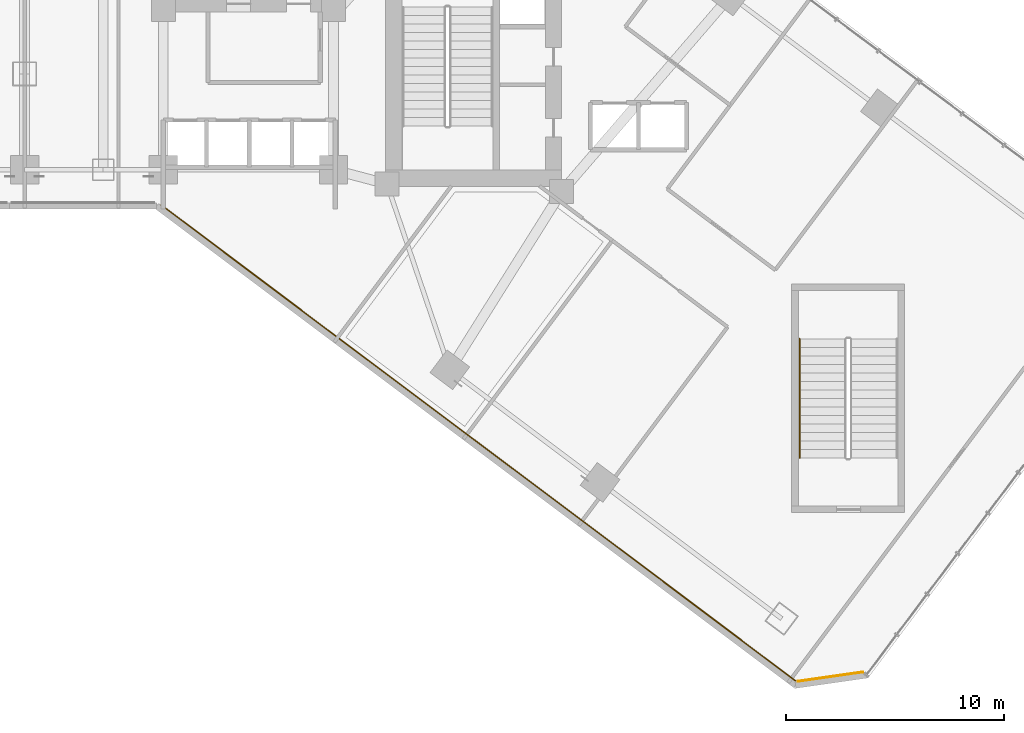
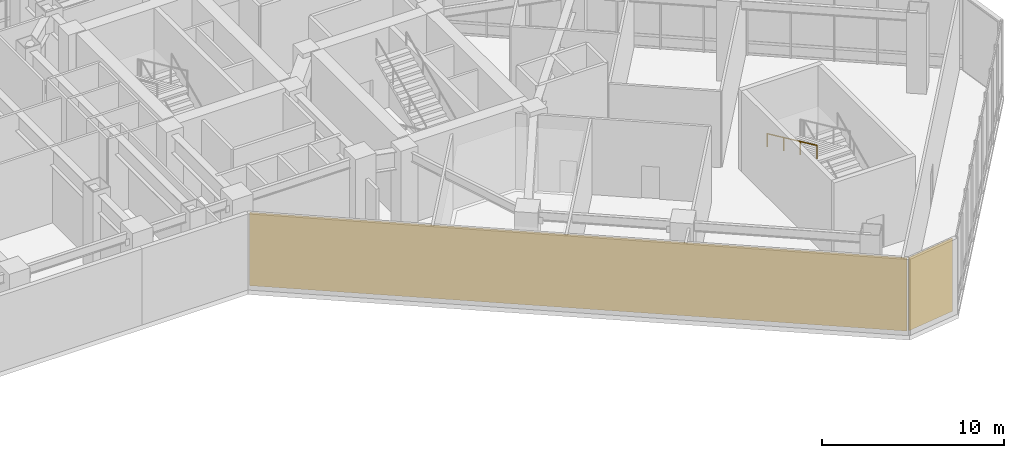
# One storey, part 32 of 35: 2 coverings, 1 railing.
"""IFC4 building model written with IfcOpenShell, lengths in metres."""

from ifc_helpers import new_model, si_unit, direction, frame, origin, origin_2d, place, context, subcontext, project, spatial, rectangle, circle, extrude, material, layer, layer_set, type_object, element, save


model = new_model("IFC4")

# Units and contexts
model_context = context("Model", 3, precision=1e-05, world=origin(), true_north=direction((0.0, 1.0)))
body_context = subcontext(model_context, "Body", "Model", "MODEL_VIEW")
ifc_project = project(units=[si_unit("LENGTHUNIT", "METRE"), si_unit("AREAUNIT", "SQUARE_METRE"), si_unit("VOLUMEUNIT", "CUBIC_METRE"), si_unit("PLANEANGLEUNIT", "RADIAN"), si_unit("MASSUNIT", "GRAM", prefix="KILO")], contexts=[model_context])

# Site, building, storey
site_placement = place(None, origin())
site = spatial("IfcSite", under=ifc_project, at=site_placement, CompositionType="ELEMENT")
building_placement = place(site_placement, origin())
building = spatial("IfcBuilding", under=site, at=building_placement, Name="Hatsunagi Terrace Concourse", CompositionType="ELEMENT")
storey_placement = place(building_placement, frame((0.0, 0.0, 16.199951171875)))
storey = spatial("IfcBuildingStorey", under=building, at=storey_placement, Name="L04", CompositionType="ELEMENT", Elevation=16.199951171875)

# Railing
ifc_material_1 = material(Name="Stainless steel", Category="steel")
ifc_layer_1 = layer(ifc_material_1, 0.050048828125)
ifc_layer_set_1 = layer_set([ifc_layer_1], Name="StairPitchHandrail_Podium2200")
railing_type = type_object("IfcRailingType", Name="StairPitchHandrail_Podium2200", PredefinedType="HANDRAIL", material=ifc_layer_set_1)
railing_placement = place(storey_placement, frame((54.699951171875, 17.4599609375, 2.880126953125)))
element("IfcRailing", 1, at=railing_placement, inside=storey, type_object=railing_type, Name="L04 ST-P2 stair handrail 2", PredefinedType="HANDRAIL", context=body_context, shape_type="SweptSolid", body=[
    extrude(circle(Radius=0.02392578125, at=origin_2d()), frame((0.0, 0.0, 0.8759765625), z_axis=(0.0, -0.907957007956, 0.419063326602), x_axis=(1.0, 0.0, 0.0)), (0.0, 0.0, 1.0), 6.013427734375),
    extrude(circle(Radius=0.02099609375, at=origin_2d()), origin(), (0.0, 0.0, 1.0), 0.851806640625),
    extrude(circle(Radius=0.02099609375, at=origin_2d()), frame((0.0, -1.820068359375, 0.840087890625)), (0.0, 0.0, 1.0), 0.851806640625),
    extrude(circle(Radius=0.02099609375, at=origin_2d()), frame((0.0, -3.639892578125, 1.679931640625)), (0.0, 0.0, 1.0), 0.851806640625),
    extrude(circle(Radius=0.02099609375, at=origin_2d()), frame((0.0, -5.4599609375, 2.52001953125)), (0.0, 0.0, 1.0), 0.851806640625),
])

# Coverings
ifc_material_2 = material(Name="Unglazed Warm Terracotta Rainscreen Tile", Category="masonry")
ifc_layer_2 = layer(ifc_material_2, 0.044921875)
ifc_layer_set_2 = layer_set([ifc_layer_2], Name="TerracottaRainscreenCladding_45")
covering_type = type_object("IfcCoveringType", Name="TerracottaRainscreenCladding_45", PredefinedType="CLADDING", material=ifc_layer_set_2)
covering_1_placement = place(storey_placement, frame((56.117919921875, 1.97900390625, 0.10009765625), z_axis=(0.0, 0.0, 1.0), x_axis=(-0.989973920543, -0.141250262458, 0.0)))
element("IfcCovering", 2, at=covering_1_placement, inside=storey, type_object=covering_type, Name="Terracotta Rainscreen Cladding L04-04", PredefinedType="CLADDING", context=body_context, shape_type="SweptSolid", body=[
    extrude(rectangle(XDim=3.0380859375, YDim=0.044921875, at=origin_2d()), origin(), (0.0, 0.0, 1.0), 4.89990234375),
])
covering_2_placement = place(storey_placement, frame((39.97998046875, 12.693115234375, 0.10009765625), z_axis=(0.0, 0.0, 1.0), x_axis=(-0.800003116929, 0.599995844072, 0.0)))
element("IfcCovering", 3, at=covering_2_placement, inside=storey, type_object=covering_type, Name="Terracotta Rainscreen Cladding L04-05", PredefinedType="CLADDING", context=body_context, shape_type="SweptSolid", body=[
    extrude(rectangle(XDim=36.34912109375, YDim=0.044921875, at=origin_2d()), origin(), (0.0, 0.0, 1.0), 4.89990234375),
])

save(model, "model.ifc")
